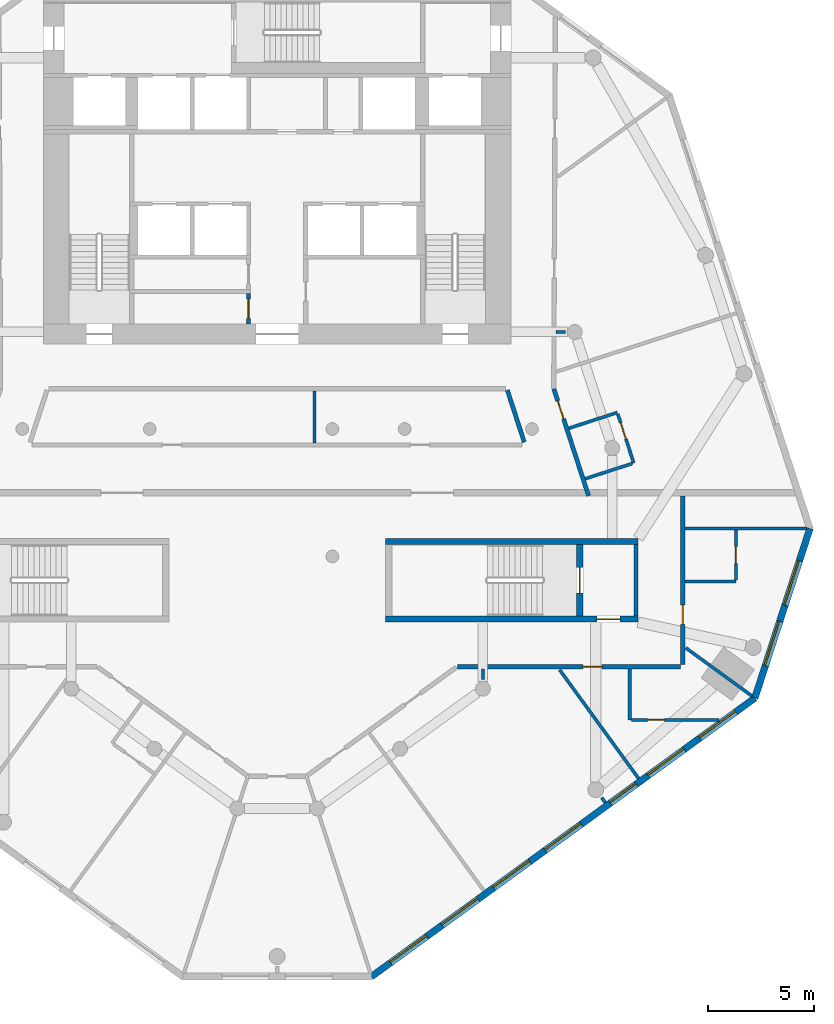
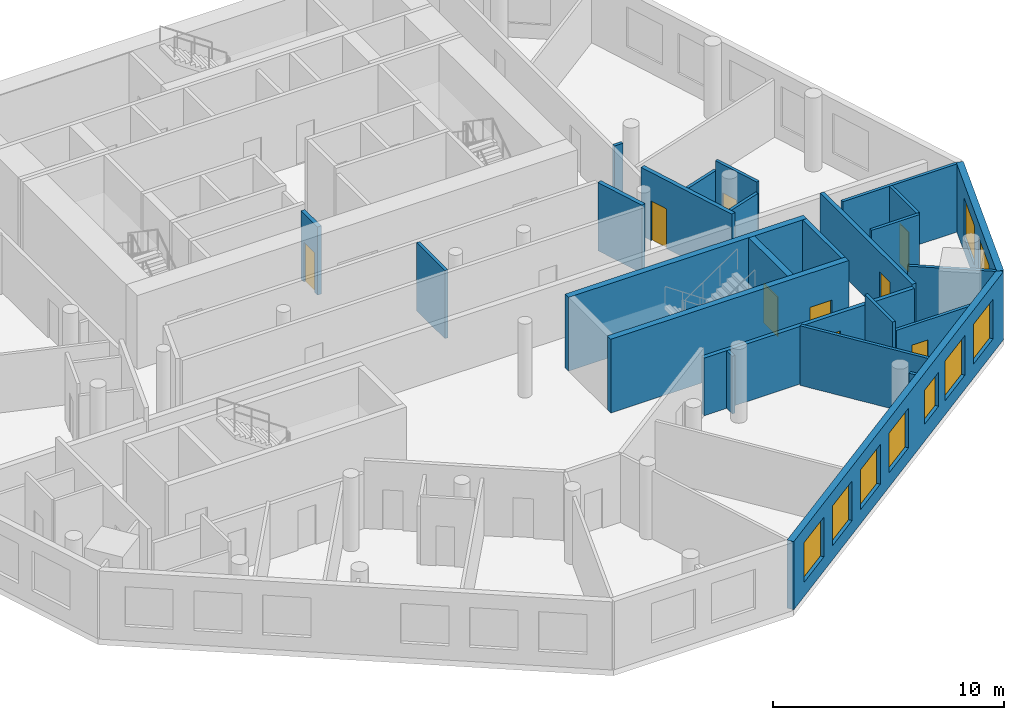
# One storey, part 4 of 9: 25 walls, 9 doors, 9 windows, 18 openings.
"""IFC4 building model written with IfcOpenShell, lengths in metres."""

from ifc_helpers import new_model, si_unit, direction, frame, frame_2d, origin, place, context, subcontext, project, spatial, rectangle, extrude, material, layer, layer_set, type_object, element, fill, save


model = new_model("IFC4")

# Units and contexts
model_context = context("Model", 3, precision=1e-05, world=origin(), true_north=direction((0.0, 1.0)))
body_context = subcontext(model_context, "Body", "Model", "MODEL_VIEW")
ifc_project = project(units=[si_unit("LENGTHUNIT", "METRE"), si_unit("AREAUNIT", "SQUARE_METRE"), si_unit("VOLUMEUNIT", "CUBIC_METRE"), si_unit("PLANEANGLEUNIT", "RADIAN"), si_unit("MASSUNIT", "GRAM", prefix="KILO")], contexts=[model_context])

# Site, building, storey
site_placement = place(None, origin())
site = spatial("IfcSite", under=ifc_project, at=site_placement, CompositionType="ELEMENT")
building_placement = place(site_placement, origin())
building = spatial("IfcBuilding", under=site, at=building_placement, Name="White Candle Pilgrim Tower", CompositionType="ELEMENT")
storey_placement = place(building_placement, frame((0.0, 0.0, 179.800048828125)))
storey = spatial("IfcBuildingStorey", under=building, at=storey_placement, Name="L41", CompositionType="ELEMENT", Elevation=179.800048828125)

# Wall
ifc_material_1 = material(Name="Concrete C60/75", Category="concrete")
ifc_layer_1 = layer(ifc_material_1, 0.199951171875)
ifc_layer_set_1 = layer_set([ifc_layer_1], Name="Core wall 200 mm Concrete C60/75")
wall_type_1 = type_object("IfcWallType", Name="Core wall 200 mm Concrete C60/75", PredefinedType="SHEAR", material=ifc_layer_set_1)
wall_1_placement = place(storey_placement, frame((86.89990234375, 58.199951171875, 0.0), z_axis=(0.0, 0.0, 1.0), x_axis=(0.0, 1.0, 0.0)))
element("IfcWall", 1, at=wall_1_placement, inside=storey, type_object=wall_type_1, Name="WL-L41-C08", PredefinedType="SHEAR", context=body_context, shape_type="SweptSolid", body=[
    extrude(rectangle(XDim=3.35009765625, YDim=0.199951171875, at=frame_2d((1.675048828125, 0.0))), origin(), (0.0, 0.0, 1.0), 3.89990234375),
])

# Wall, opening, door
ifc_material_2 = material(Name="Gypsum board on steel studs", Category="steel")
ifc_layer_2 = layer(ifc_material_2, 0.199951171875)
ifc_layer_set_2 = layer_set([ifc_layer_2], Name="Corridor wall 200 mm EI 45")
wall_type_2 = type_object("IfcWallType", Name="Corridor wall 200 mm EI 45", PredefinedType="PARTITIONING", material=ifc_layer_set_2)
wall_2_placement = place(storey_placement, frame((83.029541015625, 68.884765625, 0.0), z_axis=(0.0, 0.0, 1.0), x_axis=(0.308996388153, -0.951063211416, 0.0)))
wall_2 = element("IfcWall", 2, at=wall_2_placement, inside=storey, type_object=wall_type_2, Name="WL-L41-P005", PredefinedType="PARTITIONING", context=body_context, shape_type="SweptSolid", body=[
    extrude(rectangle(XDim=5.293701171875, YDim=0.199951171875, at=frame_2d((2.64697265625, 0.0))), origin(), (0.0, 0.0, 1.0), 3.599853515625),
])
opening_1_placement = place(wall_2_placement, frame((0.588134765625, 0.0, 0.0)))
opening_1 = element("IfcOpeningElement", 3, at=opening_1_placement, cuts=wall_2, Name="Opening T12-127", PredefinedType="OPENING", context=body_context, shape_type="SweptSolid", body=[
    extrude(rectangle(XDim=0.89990234375, YDim=2.10009765625, at=frame_2d((0.449951171875, 1.050048828125))), frame((0.0, 0.10986328125, 0.0), z_axis=(0.0, -1.0, 0.0), x_axis=(1.0, 0.0, 0.0)), (0.0, 0.0, 1.0), 0.219970703125),
])
ifc_material_3 = material(Name="Steel door leaf", Category="steel")
door_type_1 = type_object("IfcDoorType", Name="Fire door 900 x 2100 EI 30", OperationType="NOTDEFINED", PredefinedType="DOOR", material=ifc_material_3)
door_1_placement = place(opening_1_placement, origin())
door_1 = element("IfcDoor", 4, at=door_1_placement, inside=storey, type_object=door_type_1, Name="Door T12-127", OperationType="SINGLE_SWING_LEFT", OverallHeight=2.10009765625, OverallWidth=0.89990234375, PredefinedType="DOOR", context=body_context, shape_type="SweptSolid", body=[
    extrude(rectangle(XDim=0.89990234375, YDim=2.10009765625, at=frame_2d((0.449951171875, 1.050048828125))), frame((0.0, 0.02490234375, 0.0), z_axis=(0.0, -1.0, 0.0), x_axis=(1.0, 0.0, 0.0)), (0.0, 0.0, 1.0), 0.050048828125),
])
fill(opening_1, door_1)

wall_3_placement = place(storey_placement, frame((89.10009765625, 63.85009765625, 0.0), z_axis=(0.0, 0.0, 1.0), x_axis=(0.0, -1.0, 0.0)))
wall_3 = element("IfcWall", 5, at=wall_3_placement, inside=storey, type_object=wall_type_2, Name="WL-L41-P006", PredefinedType="PARTITIONING", context=body_context, shape_type="SweptSolid", body=[
    extrude(rectangle(XDim=7.9501953125, YDim=0.199951171875, at=frame_2d((3.97509765625, 0.0))), origin(), (0.0, 0.0, 1.0), 3.14990234375),
])
opening_2_placement = place(wall_3_placement, frame((5.145263671875, 0.0, 0.0)))
opening_2 = element("IfcOpeningElement", 6, at=opening_2_placement, cuts=wall_3, Name="Opening T12-116", PredefinedType="OPENING", context=body_context, shape_type="SweptSolid", body=[
    extrude(rectangle(XDim=0.89990234375, YDim=2.10009765625, at=frame_2d((0.449951171875, 1.050048828125))), frame((0.0, 0.10986328125, 0.0), z_axis=(0.0, -1.0, 0.0), x_axis=(1.0, 0.0, 0.0)), (0.0, 0.0, 1.0), 0.219970703125),
])
door_2_placement = place(opening_2_placement, origin())
door_2 = element("IfcDoor", 7, at=door_2_placement, inside=storey, type_object=door_type_1, Name="Door T12-116", OperationType="SINGLE_SWING_RIGHT", OverallHeight=2.10009765625, OverallWidth=0.89990234375, PredefinedType="DOOR", context=body_context, shape_type="SweptSolid", body=[
    extrude(rectangle(XDim=0.89990234375, YDim=2.10009765625, at=frame_2d((0.449951171875, 1.050048828125))), frame((0.0, 0.02490234375, 0.0), z_axis=(0.0, -1.0, 0.0), x_axis=(1.0, 0.0, 0.0)), (0.0, 0.0, 1.0), 0.050048828125),
])
fill(opening_2, door_2)

wall_4_placement = place(storey_placement, frame((89.0, 55.800048828125, 0.0), z_axis=(0.0, 0.0, 1.0), x_axis=(-1.0, 0.0, 0.0)))
wall_4 = element("IfcWall", 8, at=wall_4_placement, inside=storey, type_object=wall_type_2, Name="WL-L41-P007", PredefinedType="PARTITIONING", context=body_context, shape_type="SweptSolid", body=[
    extrude(rectangle(XDim=10.5068359375, YDim=0.199951171875, at=frame_2d((5.25341796875, 0.0))), origin(), (0.0, 0.0, 1.0), 3.050048828125),
])
opening_3_placement = place(wall_4_placement, frame((3.700927734375, 0.0, 0.0)))
opening_3 = element("IfcOpeningElement", 9, at=opening_3_placement, cuts=wall_4, Name="Opening T12-114", PredefinedType="OPENING", context=body_context, shape_type="SweptSolid", body=[
    extrude(rectangle(XDim=0.89990234375, YDim=2.10009765625, at=frame_2d((0.449951171875, 1.050048828125))), frame((0.0, 0.10986328125, 0.0), z_axis=(0.0, -1.0, 0.0), x_axis=(1.0, 0.0, 0.0)), (0.0, 0.0, 1.0), 0.219970703125),
])
door_3_placement = place(opening_3_placement, origin())
door_3 = element("IfcDoor", 10, at=door_3_placement, inside=storey, type_object=door_type_1, Name="Door T12-114", OperationType="SINGLE_SWING_RIGHT", OverallHeight=2.10009765625, OverallWidth=0.89990234375, PredefinedType="DOOR", context=body_context, shape_type="SweptSolid", body=[
    extrude(rectangle(XDim=0.89990234375, YDim=2.10009765625, at=frame_2d((0.449951171875, 1.050048828125))), frame((0.0, 0.02490234375, 0.0), z_axis=(0.0, -1.0, 0.0), x_axis=(1.0, 0.0, 0.0)), (0.0, 0.0, 1.0), 0.050048828125),
])
fill(opening_3, door_3)

# Wall
wall_5_placement = place(storey_placement, frame((81.635009765625, 66.380859375, 0.0), z_axis=(0.0, 0.0, 1.0), x_axis=(-0.309053927645, 0.951044515155, 0.0)))
element("IfcWall", 11, at=wall_5_placement, inside=storey, type_object=wall_type_2, Name="WL-L41-P015", PredefinedType="PARTITIONING", context=body_context, shape_type="SweptSolid", body=[
    extrude(rectangle(XDim=2.576171875, YDim=0.199951171875, at=frame_2d((1.2880859375, 0.0))), origin(), (0.0, 0.0, 1.0), 3.599853515625),
])

# Wall, openings, windows
ifc_material_4 = material(Name="Precast concrete C40/50", Category="concrete")
ifc_layer_3 = layer(ifc_material_4, 0.320068359375)
ifc_layer_set_3 = layer_set([ifc_layer_3], Name="Facade wall EW1 precast concrete C40/50 pier wall with timber-lined reveals")
wall_type_3 = type_object("IfcWallType", Name="Facade wall EW1 precast concrete C40/50 pier wall with timber-lined reveals", PredefinedType="SOLIDWALL", material=ifc_layer_set_3)
wall_6_placement = place(storey_placement, frame((74.44384765625, 41.213134765625, 0.0), z_axis=(0.0, 0.0, 1.0), x_axis=(0.80901752216, 0.587784525858, 0.0)))
wall_6 = element("IfcWall", 12, at=wall_6_placement, inside=storey, type_object=wall_type_3, Name="Facade wall L41 SE", PredefinedType="SOLIDWALL", context=body_context, shape_type="SweptSolid", body=[
    extrude(rectangle(XDim=22.3125, YDim=0.320068359375, at=frame_2d((11.15625, 0.0))), origin(), (0.0, 0.0, 1.0), 3.599853515625),
])
opening_4_placement = place(wall_6_placement, frame((1.1064453125, 0.0, 0.75)))
opening_4 = element("IfcOpeningElement", 13, at=opening_4_placement, cuts=wall_6, Name="Opening W3", PredefinedType="OPENING", context=body_context, shape_type="SweptSolid", body=[
    extrude(rectangle(XDim=2.10009765625, YDim=2.10009765625, at=frame_2d((1.050048828125, 1.050048828125))), frame((0.0, 0.169921875, 0.0), z_axis=(0.0, -1.0, 0.0), x_axis=(1.0, 0.0, 0.0)), (0.0, 0.0, 1.0), 0.340087890625),
])
opening_5_placement = place(wall_6_placement, frame((4.1064453125, 0.0, 0.75)))
opening_5 = element("IfcOpeningElement", 14, at=opening_5_placement, cuts=wall_6, Name="Opening W3", PredefinedType="OPENING", context=body_context, shape_type="SweptSolid", body=[
    extrude(rectangle(XDim=2.10009765625, YDim=2.10009765625, at=frame_2d((1.050048828125, 1.050048828125))), frame((0.0, 0.169921875, 0.0), z_axis=(0.0, -1.0, 0.0), x_axis=(1.0, 0.0, 0.0)), (0.0, 0.0, 1.0), 0.340087890625),
])
opening_6_placement = place(wall_6_placement, frame((7.1064453125, 0.0, 0.75)))
opening_6 = element("IfcOpeningElement", 15, at=opening_6_placement, cuts=wall_6, Name="Opening W3", PredefinedType="OPENING", context=body_context, shape_type="SweptSolid", body=[
    extrude(rectangle(XDim=2.10009765625, YDim=2.10009765625, at=frame_2d((1.050048828125, 1.050048828125))), frame((0.0, 0.169921875, 0.0), z_axis=(0.0, -1.0, 0.0), x_axis=(1.0, 0.0, 0.0)), (0.0, 0.0, 1.0), 0.340087890625),
])
opening_7_placement = place(wall_6_placement, frame((10.1064453125, 0.0, 0.75)))
opening_7 = element("IfcOpeningElement", 16, at=opening_7_placement, cuts=wall_6, Name="Opening W3", PredefinedType="OPENING", context=body_context, shape_type="SweptSolid", body=[
    extrude(rectangle(XDim=2.10009765625, YDim=2.10009765625, at=frame_2d((1.050048828125, 1.050048828125))), frame((0.0, 0.169921875, 0.0), z_axis=(0.0, -1.0, 0.0), x_axis=(1.0, 0.0, 0.0)), (0.0, 0.0, 1.0), 0.340087890625),
])
opening_8_placement = place(wall_6_placement, frame((13.906494140625, 0.0, 0.89990234375)))
opening_8 = element("IfcOpeningElement", 17, at=opening_8_placement, cuts=wall_6, Name="Opening W1", PredefinedType="OPENING", context=body_context, shape_type="SweptSolid", body=[
    extrude(rectangle(XDim=1.5, YDim=1.800048828125, at=frame_2d((0.75, 0.89990234375))), frame((0.0, 0.169921875, 0.0), z_axis=(0.0, -1.0, 0.0), x_axis=(1.0, 0.0, 0.0)), (0.0, 0.0, 1.0), 0.340087890625),
])
opening_9_placement = place(wall_6_placement, frame((16.1064453125, 0.0, 0.75)))
opening_9 = element("IfcOpeningElement", 18, at=opening_9_placement, cuts=wall_6, Name="Opening W3", PredefinedType="OPENING", context=body_context, shape_type="SweptSolid", body=[
    extrude(rectangle(XDim=2.10009765625, YDim=2.10009765625, at=frame_2d((1.050048828125, 1.050048828125))), frame((0.0, 0.169921875, 0.0), z_axis=(0.0, -1.0, 0.0), x_axis=(1.0, 0.0, 0.0)), (0.0, 0.0, 1.0), 0.340087890625),
])
opening_10_placement = place(wall_6_placement, frame((19.1064453125, 0.0, 0.75)))
opening_10 = element("IfcOpeningElement", 19, at=opening_10_placement, cuts=wall_6, Name="Opening W3", PredefinedType="OPENING", context=body_context, shape_type="SweptSolid", body=[
    extrude(rectangle(XDim=2.10009765625, YDim=2.10009765625, at=frame_2d((1.050048828125, 1.050048828125))), frame((0.0, 0.169921875, 0.0), z_axis=(0.0, -1.0, 0.0), x_axis=(1.0, 0.0, 0.0)), (0.0, 0.0, 1.0), 0.340087890625),
])
ifc_material_5 = material(Name="Timber frame with triple glazing", Category="wood")
window_type_1 = type_object("IfcWindowType", Name="Window W1 1500x1800 timber frame triple glazing", PartitioningType="SINGLE_PANEL", PredefinedType="WINDOW", material=ifc_material_5)
window_1_placement = place(opening_8_placement, origin())
window_1 = element("IfcWindow", 20, at=window_1_placement, inside=storey, type_object=window_type_1, Name="Window W1 L41 SE 5", OverallHeight=1.800048828125, OverallWidth=1.5, PartitioningType="SINGLE_PANEL", PredefinedType="WINDOW", context=body_context, shape_type="SweptSolid", body=[
    extrude(rectangle(XDim=1.5, YDim=1.800048828125, at=frame_2d((0.75, 0.89990234375))), frame((0.0, 0.070068359375, 0.0), z_axis=(0.0, -1.0, 0.0), x_axis=(1.0, 0.0, 0.0)), (0.0, 0.0, 1.0), 0.06005859375),
])
fill(opening_8, window_1)
window_type_2 = type_object("IfcWindowType", Name="Window W3 2100x2100 timber frame triple glazing", PartitioningType="SINGLE_PANEL", PredefinedType="WINDOW", material=ifc_material_5)
window_2_placement = place(opening_4_placement, origin())
window_2 = element("IfcWindow", 21, at=window_2_placement, inside=storey, type_object=window_type_2, Name="Window W3 L41 SE 1", OverallHeight=2.10009765625, OverallWidth=2.10009765625, PartitioningType="SINGLE_PANEL", PredefinedType="WINDOW", context=body_context, shape_type="SweptSolid", body=[
    extrude(rectangle(XDim=2.10009765625, YDim=2.10009765625, at=frame_2d((1.050048828125, 1.050048828125))), frame((0.0, 0.070068359375, 0.0), z_axis=(0.0, -1.0, 0.0), x_axis=(1.0, 0.0, 0.0)), (0.0, 0.0, 1.0), 0.06005859375),
])
fill(opening_4, window_2)
window_3_placement = place(opening_5_placement, origin())
window_3 = element("IfcWindow", 22, at=window_3_placement, inside=storey, type_object=window_type_2, Name="Window W3 L41 SE 2", OverallHeight=2.10009765625, OverallWidth=2.10009765625, PartitioningType="SINGLE_PANEL", PredefinedType="WINDOW", context=body_context, shape_type="SweptSolid", body=[
    extrude(rectangle(XDim=2.10009765625, YDim=2.10009765625, at=frame_2d((1.050048828125, 1.050048828125))), frame((0.0, 0.070068359375, 0.0), z_axis=(0.0, -1.0, 0.0), x_axis=(1.0, 0.0, 0.0)), (0.0, 0.0, 1.0), 0.06005859375),
])
fill(opening_5, window_3)
window_4_placement = place(opening_6_placement, origin())
window_4 = element("IfcWindow", 23, at=window_4_placement, inside=storey, type_object=window_type_2, Name="Window W3 L41 SE 3", OverallHeight=2.10009765625, OverallWidth=2.10009765625, PartitioningType="SINGLE_PANEL", PredefinedType="WINDOW", context=body_context, shape_type="SweptSolid", body=[
    extrude(rectangle(XDim=2.10009765625, YDim=2.10009765625, at=frame_2d((1.050048828125, 1.050048828125))), frame((0.0, 0.070068359375, 0.0), z_axis=(0.0, -1.0, 0.0), x_axis=(1.0, 0.0, 0.0)), (0.0, 0.0, 1.0), 0.06005859375),
])
fill(opening_6, window_4)
window_5_placement = place(opening_7_placement, origin())
window_5 = element("IfcWindow", 24, at=window_5_placement, inside=storey, type_object=window_type_2, Name="Window W3 L41 SE 4", OverallHeight=2.10009765625, OverallWidth=2.10009765625, PartitioningType="SINGLE_PANEL", PredefinedType="WINDOW", context=body_context, shape_type="SweptSolid", body=[
    extrude(rectangle(XDim=2.10009765625, YDim=2.10009765625, at=frame_2d((1.050048828125, 1.050048828125))), frame((0.0, 0.070068359375, 0.0), z_axis=(0.0, -1.0, 0.0), x_axis=(1.0, 0.0, 0.0)), (0.0, 0.0, 1.0), 0.06005859375),
])
fill(opening_7, window_5)
window_6_placement = place(opening_9_placement, origin())
window_6 = element("IfcWindow", 25, at=window_6_placement, inside=storey, type_object=window_type_2, Name="Window W3 L41 SE 6", OverallHeight=2.10009765625, OverallWidth=2.10009765625, PartitioningType="SINGLE_PANEL", PredefinedType="WINDOW", context=body_context, shape_type="SweptSolid", body=[
    extrude(rectangle(XDim=2.10009765625, YDim=2.10009765625, at=frame_2d((1.050048828125, 1.050048828125))), frame((0.0, 0.070068359375, 0.0), z_axis=(0.0, -1.0, 0.0), x_axis=(1.0, 0.0, 0.0)), (0.0, 0.0, 1.0), 0.06005859375),
])
fill(opening_9, window_6)
window_7_placement = place(opening_10_placement, origin())
window_7 = element("IfcWindow", 26, at=window_7_placement, inside=storey, type_object=window_type_2, Name="Window W3 L41 SE 7", OverallHeight=2.10009765625, OverallWidth=2.10009765625, PartitioningType="SINGLE_PANEL", PredefinedType="WINDOW", context=body_context, shape_type="SweptSolid", body=[
    extrude(rectangle(XDim=2.10009765625, YDim=2.10009765625, at=frame_2d((1.050048828125, 1.050048828125))), frame((0.0, 0.070068359375, 0.0), z_axis=(0.0, -1.0, 0.0), x_axis=(1.0, 0.0, 0.0)), (0.0, 0.0, 1.0), 0.06005859375),
])
fill(opening_10, window_7)

wall_7_placement = place(storey_placement, frame((92.4951171875, 54.328125, 0.0), z_axis=(0.0, 0.0, 1.0), x_axis=(0.309022961141, 0.951054577555, 0.0)))
wall_7 = element("IfcWall", 27, at=wall_7_placement, inside=storey, type_object=wall_type_3, Name="Facade wall L41 E chamfer", PredefinedType="SOLIDWALL", context=body_context, shape_type="SweptSolid", body=[
    extrude(rectangle(XDim=8.3974609375, YDim=0.320068359375, at=frame_2d((4.19873046875, 0.0))), origin(), (0.0, 0.0, 1.0), 3.599853515625),
])
opening_11_placement = place(wall_7_placement, frame((1.5986328125, 0.0, 0.75)))
opening_11 = element("IfcOpeningElement", 28, at=opening_11_placement, cuts=wall_7, Name="Opening W4", PredefinedType="OPENING", context=body_context, shape_type="SweptSolid", body=[
    extrude(rectangle(XDim=2.199951171875, YDim=2.10009765625, at=frame_2d((1.10009765625, 1.050048828125))), frame((0.0, 0.169921875, 0.0), z_axis=(0.0, -1.0, 0.0), x_axis=(1.0, 0.0, 0.0)), (0.0, 0.0, 1.0), 0.340087890625),
])
opening_12_placement = place(wall_7_placement, frame((4.5986328125, 0.0, 0.75)))
opening_12 = element("IfcOpeningElement", 29, at=opening_12_placement, cuts=wall_7, Name="Opening W4", PredefinedType="OPENING", context=body_context, shape_type="SweptSolid", body=[
    extrude(rectangle(XDim=2.199951171875, YDim=2.10009765625, at=frame_2d((1.10009765625, 1.050048828125))), frame((0.0, 0.169921875, 0.0), z_axis=(0.0, -1.0, 0.0), x_axis=(1.0, 0.0, 0.0)), (0.0, 0.0, 1.0), 0.340087890625),
])
window_type_3 = type_object("IfcWindowType", Name="Window W4 2200x2100 timber frame triple glazing", PartitioningType="SINGLE_PANEL", PredefinedType="WINDOW", material=ifc_material_5)
window_8_placement = place(opening_11_placement, origin())
window_8 = element("IfcWindow", 30, at=window_8_placement, inside=storey, type_object=window_type_3, Name="Window W4 L41 E chamfer 1", OverallHeight=2.10009765625, OverallWidth=2.199951171875, PartitioningType="SINGLE_PANEL", PredefinedType="WINDOW", context=body_context, shape_type="SweptSolid", body=[
    extrude(rectangle(XDim=2.199951171875, YDim=2.10009765625, at=frame_2d((1.10009765625, 1.050048828125))), frame((0.0, 0.070068359375, 0.0), z_axis=(0.0, -1.0, 0.0), x_axis=(1.0, 0.0, 0.0)), (0.0, 0.0, 1.0), 0.06005859375),
])
fill(opening_11, window_8)
window_9_placement = place(opening_12_placement, origin())
window_9 = element("IfcWindow", 31, at=window_9_placement, inside=storey, type_object=window_type_3, Name="Window W4 L41 E chamfer 2", OverallHeight=2.10009765625, OverallWidth=2.199951171875, PartitioningType="SINGLE_PANEL", PredefinedType="WINDOW", context=body_context, shape_type="SweptSolid", body=[
    extrude(rectangle(XDim=2.199951171875, YDim=2.10009765625, at=frame_2d((1.10009765625, 1.050048828125))), frame((0.0, 0.070068359375, 0.0), z_axis=(0.0, -1.0, 0.0), x_axis=(1.0, 0.0, 0.0)), (0.0, 0.0, 1.0), 0.06005859375),
])
fill(opening_12, window_9)

# Wall, opening, door
ifc_layer_4 = layer(ifc_material_2, 0.199951171875)
ifc_layer_set_4 = layer_set([ifc_layer_4], Name="Lobby wall 200 mm EI 60")
wall_type_4 = type_object("IfcWallType", Name="Lobby wall 200 mm EI 60", PredefinedType="PARTITIONING", material=ifc_layer_set_4)
wall_8_placement = place(storey_placement, frame((68.64990234375, 71.949951171875, 0.0), z_axis=(0.0, 0.0, 1.0), x_axis=(0.0, 1.0, 0.0)))
wall_8 = element("IfcWall", 32, at=wall_8_placement, inside=storey, type_object=wall_type_4, Name="WL-L41-C14", PredefinedType="PARTITIONING", context=body_context, shape_type="SweptSolid", body=[
    extrude(rectangle(XDim=1.425048828125, YDim=0.199951171875, at=frame_2d((0.71240234375, 0.0))), origin(), (0.0, 0.0, 1.0), 3.599853515625),
])
opening_13_placement = place(wall_8_placement, frame((0.262451171875, 0.0, 0.0)))
opening_13 = element("IfcOpeningElement", 33, at=opening_13_placement, cuts=wall_8, Name="Opening T12-005", PredefinedType="OPENING", context=body_context, shape_type="SweptSolid", body=[
    extrude(rectangle(XDim=0.89990234375, YDim=2.10009765625, at=frame_2d((0.449951171875, 1.050048828125))), frame((0.0, 0.10986328125, 0.0), z_axis=(0.0, -1.0, 0.0), x_axis=(1.0, 0.0, 0.0)), (0.0, 0.0, 1.0), 0.219970703125),
])
door_4_placement = place(opening_13_placement, origin())
door_4 = element("IfcDoor", 34, at=door_4_placement, inside=storey, type_object=door_type_1, Name="Door T12-005", OperationType="SINGLE_SWING_LEFT", OverallHeight=2.10009765625, OverallWidth=0.89990234375, PredefinedType="DOOR", context=body_context, shape_type="SweptSolid", body=[
    extrude(rectangle(XDim=0.89990234375, YDim=2.10009765625, at=frame_2d((0.449951171875, 1.050048828125))), frame((0.0, 0.02490234375, 0.0), z_axis=(0.0, -1.0, 0.0), x_axis=(1.0, 0.0, 0.0)), (0.0, 0.0, 1.0), 0.050048828125),
])
fill(opening_13, door_4)

# Walls
ifc_layer_5 = layer(ifc_material_2, 0.14990234375)
ifc_layer_set_5 = layer_set([ifc_layer_5], Name="Partition 150 mm EI 60")
wall_type_5 = type_object("IfcWallType", Name="Partition 150 mm EI 60", PredefinedType="PARTITIONING", material=ifc_layer_set_5)
wall_9_placement = place(storey_placement, frame((92.35888671875, 54.427001953125, 0.0), z_axis=(0.0, 0.0, 1.0), x_axis=(-0.808993762588, 0.587817226775, 0.0)))
element("IfcWall", 35, at=wall_9_placement, inside=storey, type_object=wall_type_5, Name="WL-L41-P022", PredefinedType="PARTITIONING", context=body_context, shape_type="SweptSolid", body=[
    extrude(rectangle(XDim=3.85009765625, YDim=0.14990234375, at=frame_2d((1.925048828125, 0.0))), origin(), (0.0, 0.0, 1.0), 3.599853515625),
])
wall_10_placement = place(storey_placement, frame((94.921875, 62.314453125, 0.0), z_axis=(0.0, 0.0, 1.0), x_axis=(-1.0, 0.0, 0.0)))
element("IfcWall", 36, at=wall_10_placement, inside=storey, type_object=wall_type_5, Name="WL-L41-P023", PredefinedType="PARTITIONING", context=body_context, shape_type="SweptSolid", body=[
    extrude(rectangle(XDim=5.721923828125, YDim=0.14990234375, at=frame_2d((2.86083984375, 0.0))), origin(), (0.0, 0.0, 1.0), 3.599853515625),
])
wall_11_placement = place(storey_placement, frame((87.01611328125, 50.545166015625, 0.0), z_axis=(0.0, 0.0, 1.0), x_axis=(-0.587799384359, 0.809006726639, 0.0)))
element("IfcWall", 37, at=wall_11_placement, inside=storey, type_object=wall_type_5, Name="WL-L41-P039", PredefinedType="PARTITIONING", context=body_context, shape_type="SweptSolid", body=[
    extrude(rectangle(XDim=6.3173828125, YDim=0.14990234375, at=frame_2d((3.15869140625, 0.0))), origin(), (0.0, 0.0, 1.0), 3.14990234375),
])
wall_12_placement = place(storey_placement, frame((86.60009765625, 55.699951171875, 0.0), z_axis=(0.0, 0.0, 1.0), x_axis=(0.0, -1.0, 0.0)))
element("IfcWall", 38, at=wall_12_placement, inside=storey, type_object=wall_type_5, Name="WL-L41-P040", PredefinedType="PARTITIONING", context=body_context, shape_type="SweptSolid", body=[
    extrude(rectangle(XDim=2.39990234375, YDim=0.14990234375, at=frame_2d((1.199951171875, 0.0))), origin(), (0.0, 0.0, 1.0), 3.599853515625),
])

# Wall, opening, door
wall_13_placement = place(storey_placement, frame((90.807861328125, 53.300048828125, 0.0), z_axis=(0.0, 0.0, 1.0), x_axis=(-1.0, 0.0, 0.0)))
wall_13 = element("IfcWall", 39, at=wall_13_placement, inside=storey, type_object=wall_type_5, Name="WL-L41-P041", PredefinedType="PARTITIONING", context=body_context, shape_type="SweptSolid", body=[
    extrude(rectangle(XDim=4.1328125, YDim=0.14990234375, at=frame_2d((2.06640625, 0.0))), origin(), (0.0, 0.0, 1.0), 3.14990234375),
])
opening_14_placement = place(wall_13_placement, frame((2.557861328125, 0.0, 0.0)))
opening_14 = element("IfcOpeningElement", 40, at=opening_14_placement, cuts=wall_13, Name="Opening T12-113", PredefinedType="OPENING", context=body_context, shape_type="SweptSolid", body=[
    extrude(rectangle(XDim=0.800048828125, YDim=2.10009765625, at=frame_2d((0.39990234375, 1.050048828125))), frame((0.0, 0.0849609375, 0.0), z_axis=(0.0, -1.0, 0.0), x_axis=(1.0, 0.0, 0.0)), (0.0, 0.0, 1.0), 0.169921875),
])
door_type_2 = type_object("IfcDoorType", Name="Fire door 800 x 2100 EI 30", OperationType="NOTDEFINED", PredefinedType="DOOR", material=ifc_material_3)
door_5_placement = place(opening_14_placement, origin())
door_5 = element("IfcDoor", 41, at=door_5_placement, inside=storey, type_object=door_type_2, Name="Door T12-113", OperationType="SINGLE_SWING_LEFT", OverallHeight=2.10009765625, OverallWidth=0.800048828125, PredefinedType="DOOR", context=body_context, shape_type="SweptSolid", body=[
    extrude(rectangle(XDim=0.800048828125, YDim=2.10009765625, at=frame_2d((0.39990234375, 1.050048828125))), frame((0.0, 0.02490234375, 0.0), z_axis=(0.0, -1.0, 0.0), x_axis=(1.0, 0.0, 0.0)), (0.0, 0.0, 1.0), 0.050048828125),
])
fill(opening_14, door_5)

# Wall
wall_14_placement = place(storey_placement, frame((89.199951171875, 59.814453125, 0.0), z_axis=(0.0, 0.0, 1.0), x_axis=(1.0, 0.0, 0.0)))
element("IfcWall", 42, at=wall_14_placement, inside=storey, type_object=wall_type_5, Name="WL-L41-P042", PredefinedType="PARTITIONING", context=body_context, shape_type="SweptSolid", body=[
    extrude(rectangle(XDim=2.400146484375, YDim=0.14990234375, at=frame_2d((1.2001953125, 0.0))), origin(), (0.0, 0.0, 1.0), 3.599853515625),
])

# Wall, opening, door
wall_15_placement = place(storey_placement, frame((91.60009765625, 62.239501953125, 0.0), z_axis=(0.0, 0.0, 1.0), x_axis=(0.0, -1.0, 0.0)))
wall_15 = element("IfcWall", 43, at=wall_15_placement, inside=storey, type_object=wall_type_5, Name="WL-L41-P043", PredefinedType="PARTITIONING", context=body_context, shape_type="SweptSolid", body=[
    extrude(rectangle(XDim=2.35009765625, YDim=0.14990234375, at=frame_2d((1.175048828125, 0.0))), origin(), (0.0, 0.0, 1.0), 3.599853515625),
])
opening_15_placement = place(wall_15_placement, frame((0.77490234375, 0.0, 0.0)))
opening_15 = element("IfcOpeningElement", 44, at=opening_15_placement, cuts=wall_15, Name="Opening T12-115", PredefinedType="OPENING", context=body_context, shape_type="SweptSolid", body=[
    extrude(rectangle(XDim=0.800048828125, YDim=2.10009765625, at=frame_2d((0.39990234375, 1.050048828125))), frame((0.0, 0.0849609375, 0.0), z_axis=(0.0, -1.0, 0.0), x_axis=(1.0, 0.0, 0.0)), (0.0, 0.0, 1.0), 0.169921875),
])
door_6_placement = place(opening_15_placement, origin())
door_6 = element("IfcDoor", 45, at=door_6_placement, inside=storey, type_object=door_type_2, Name="Door T12-115", OperationType="SINGLE_SWING_LEFT", OverallHeight=2.10009765625, OverallWidth=0.800048828125, PredefinedType="DOOR", context=body_context, shape_type="SweptSolid", body=[
    extrude(rectangle(XDim=0.800048828125, YDim=2.10009765625, at=frame_2d((0.39990234375, 1.050048828125))), frame((0.0, 0.02490234375, 0.0), z_axis=(0.0, -1.0, 0.0), x_axis=(1.0, 0.0, 0.0)), (0.0, 0.0, 1.0), 0.050048828125),
])
fill(opening_15, door_6)

# Wall
wall_16_placement = place(storey_placement, frame((83.736083984375, 67.0341796875, 0.0), z_axis=(0.0, 0.0, 1.0), x_axis=(0.951076672559, 0.308954952889, 0.0)))
element("IfcWall", 46, at=wall_16_placement, inside=storey, type_object=wall_type_5, Name="WL-L41-P045", PredefinedType="PARTITIONING", context=body_context, shape_type="SweptSolid", body=[
    extrude(rectangle(XDim=2.39990234375, YDim=0.14990234375, at=frame_2d((1.199951171875, 0.0))), origin(), (0.0, 0.0, 1.0), 3.050048828125),
])

# Wall, opening, door
wall_17_placement = place(storey_placement, frame((86.791015625, 65.398193359375, 0.0), z_axis=(0.0, 0.0, 1.0), x_axis=(-0.308999558984, 0.95106218122, 0.0)))
wall_17 = element("IfcWall", 47, at=wall_17_placement, inside=storey, type_object=wall_type_5, Name="WL-L41-P046", PredefinedType="PARTITIONING", context=body_context, shape_type="SweptSolid", body=[
    extrude(rectangle(XDim=2.4248046875, YDim=0.14990234375, at=frame_2d((1.21240234375, 0.0))), origin(), (0.0, 0.0, 1.0), 3.599853515625),
])
opening_16_placement = place(wall_17_placement, frame((1.199951171875, 0.0, 0.0)))
opening_16 = element("IfcOpeningElement", 48, at=opening_16_placement, cuts=wall_17, Name="Opening T12-117", PredefinedType="OPENING", context=body_context, shape_type="SweptSolid", body=[
    extrude(rectangle(XDim=0.800048828125, YDim=2.10009765625, at=frame_2d((0.39990234375, 1.050048828125))), frame((0.0, 0.0849609375, 0.0), z_axis=(0.0, -1.0, 0.0), x_axis=(1.0, 0.0, 0.0)), (0.0, 0.0, 1.0), 0.169921875),
])
door_7_placement = place(opening_16_placement, frame((0.800048828125, 0.0, 0.0), z_axis=(0.0, 0.0, 1.0), x_axis=(-1.0, 0.0, 0.0)))
door_7 = element("IfcDoor", 49, at=door_7_placement, inside=storey, type_object=door_type_2, Name="Door T12-117", OperationType="SINGLE_SWING_RIGHT", OverallHeight=2.10009765625, OverallWidth=0.800048828125, PredefinedType="DOOR", context=body_context, shape_type="SweptSolid", body=[
    extrude(rectangle(XDim=0.800048828125, YDim=2.10009765625, at=frame_2d((0.39990234375, 1.050048828125))), frame((0.0, 0.02490234375, 0.0), z_axis=(0.0, -1.0, 0.0), x_axis=(1.0, 0.0, 0.0)), (0.0, 0.0, 1.0), 0.050048828125),
])
fill(opening_16, door_7)

# Walls
wall_18_placement = place(storey_placement, frame((84.508544921875, 64.656494140625, 0.0), z_axis=(0.0, 0.0, 1.0), x_axis=(0.951050272606, 0.309036209813, 0.0)))
element("IfcWall", 50, at=wall_18_placement, inside=storey, type_object=wall_type_5, Name="WL-L41-P047", PredefinedType="PARTITIONING", context=body_context, shape_type="SweptSolid", body=[
    extrude(rectangle(XDim=2.324951171875, YDim=0.14990234375, at=frame_2d((1.16259765625, 0.0))), origin(), (0.0, 0.0, 1.0), 3.050048828125),
])
wall_19_placement = place(storey_placement, frame((71.7607421875, 66.35009765625, 0.0), z_axis=(0.0, 0.0, 1.0), x_axis=(0.0, 1.0, 0.0)))
element("IfcWall", 51, at=wall_19_placement, inside=storey, type_object=wall_type_5, Name="WL-L41-P048", PredefinedType="PARTITIONING", context=body_context, shape_type="SweptSolid", body=[
    extrude(rectangle(XDim=2.449951171875, YDim=0.14990234375, at=frame_2d((1.22509765625, 0.0))), origin(), (0.0, 0.0, 1.0), 3.599853515625),
])
wall_20_placement = place(storey_placement, frame((85.28076171875, 49.639404296875, 0.0), z_axis=(0.0, 0.0, 1.0), x_axis=(0.58796959634, -0.808883028491, 0.0)))
element("IfcWall", 52, at=wall_20_placement, inside=storey, type_object=wall_type_5, Name="WL-L41-P051", PredefinedType="PARTITIONING", context=body_context, shape_type="SweptSolid", body=[
    extrude(rectangle(XDim=0.287353515625, YDim=0.14990234375, at=frame_2d((0.1435546875, 0.0))), origin(), (0.0, 0.0, 1.0), 3.599853515625),
])
wall_21_placement = place(storey_placement, frame((79.687744140625, 55.2099609375, 0.0), z_axis=(0.0, 0.0, 1.0), x_axis=(0.0, 1.0, 0.0)))
element("IfcWall", 53, at=wall_21_placement, inside=storey, type_object=wall_type_5, Name="WL-L41-P052", PredefinedType="PARTITIONING", context=body_context, shape_type="SweptSolid", body=[
    extrude(rectangle(XDim=0.489990234375, YDim=0.14990234375, at=frame_2d((0.2451171875, 0.0))), origin(), (0.0, 0.0, 1.0), 3.050048828125),
])
wall_22_placement = place(storey_placement, frame((83.570068359375, 71.572509765625, 0.0), z_axis=(0.0, 0.0, 1.0), x_axis=(-0.999992250075, 0.003936977362, 0.0)))
element("IfcWall", 54, at=wall_22_placement, inside=storey, type_object=wall_type_5, Name="WL-L41-P053", PredefinedType="PARTITIONING", context=body_context, shape_type="SweptSolid", body=[
    extrude(rectangle(XDim=0.43408203125, YDim=0.14990234375, at=frame_2d((0.217041015625, 0.0))), origin(), (0.0, 0.0, 1.0), 3.050048828125),
])

# Wall, opening, door
ifc_layer_6 = layer(ifc_material_1, 0.300048828125)
ifc_layer_set_6 = layer_set([ifc_layer_6], Name="Stair shaft wall 300 mm Concrete C60/75")
wall_type_6 = type_object("IfcWallType", Name="Stair shaft wall 300 mm Concrete C60/75", PredefinedType="SHEAR", material=ifc_layer_set_6)
wall_23_placement = place(storey_placement, frame((75.10009765625, 58.050048828125, 0.0), z_axis=(0.0, 0.0, 1.0), x_axis=(1.0, 0.0, 0.0)))
wall_23 = element("IfcWall", 55, at=wall_23_placement, inside=storey, type_object=wall_type_6, Name="WL-L41-C02", PredefinedType="SHEAR", context=body_context, shape_type="SweptSolid", body=[
    extrude(rectangle(XDim=11.89990234375, YDim=0.300048828125, at=frame_2d((5.949951171875, 0.0))), origin(), (0.0, 0.0, 1.0), 3.89990234375),
])
opening_17_placement = place(wall_23_placement, frame((9.949951171875, 0.0, 0.0)))
opening_17 = element("IfcOpeningElement", 56, at=opening_17_placement, cuts=wall_23, Name="Opening T12-012", PredefinedType="OPENING", context=body_context, shape_type="SweptSolid", body=[
    extrude(rectangle(XDim=1.10009765625, YDim=2.10009765625, at=frame_2d((0.550048828125, 1.050048828125))), frame((0.0, 0.159912109375, 0.0), z_axis=(0.0, -1.0, 0.0), x_axis=(1.0, 0.0, 0.0)), (0.0, 0.0, 1.0), 0.320068359375),
])
door_type_3 = type_object("IfcDoorType", Name="Fire door 1100 x 2100 EI 60", OperationType="NOTDEFINED", PredefinedType="DOOR", material=ifc_material_3)
door_8_placement = place(opening_17_placement, origin())
door_8 = element("IfcDoor", 57, at=door_8_placement, inside=storey, type_object=door_type_3, Name="Door T12-012", OperationType="SINGLE_SWING_RIGHT", OverallHeight=2.10009765625, OverallWidth=1.10009765625, PredefinedType="DOOR", context=body_context, shape_type="SweptSolid", body=[
    extrude(rectangle(XDim=1.10009765625, YDim=2.10009765625, at=frame_2d((0.550048828125, 1.050048828125))), frame((0.0, 0.02490234375, 0.0), z_axis=(0.0, -1.0, 0.0), x_axis=(1.0, 0.0, 0.0)), (0.0, 0.0, 1.0), 0.050048828125),
])
fill(opening_17, door_8)

wall_24_placement = place(storey_placement, frame((84.25, 58.199951171875, 0.0), z_axis=(0.0, 0.0, 1.0), x_axis=(0.0, 1.0, 0.0)))
wall_24 = element("IfcWall", 58, at=wall_24_placement, inside=storey, type_object=wall_type_6, Name="WL-L41-C07", PredefinedType="SHEAR", context=body_context, shape_type="SweptSolid", body=[
    extrude(rectangle(XDim=3.35009765625, YDim=0.300048828125, at=frame_2d((1.675048828125, 0.0))), origin(), (0.0, 0.0, 1.0), 3.89990234375),
])
opening_18_placement = place(wall_24_placement, frame((1.074951171875, 0.0, 0.0)))
opening_18 = element("IfcOpeningElement", 59, at=opening_18_placement, cuts=wall_24, Name="Opening T12-013", PredefinedType="OPENING", context=body_context, shape_type="SweptSolid", body=[
    extrude(rectangle(XDim=1.199951171875, YDim=2.10009765625, at=frame_2d((0.60009765625, 1.050048828125))), frame((0.0, 0.159912109375, 0.0), z_axis=(0.0, -1.0, 0.0), x_axis=(1.0, 0.0, 0.0)), (0.0, 0.0, 1.0), 0.320068359375),
])
door_type_4 = type_object("IfcDoorType", Name="Fire door 1200 x 2100 EI 60", OperationType="NOTDEFINED", PredefinedType="DOOR", material=ifc_material_3)
door_9_placement = place(opening_18_placement, origin())
door_9 = element("IfcDoor", 60, at=door_9_placement, inside=storey, type_object=door_type_4, Name="Door T12-013", OperationType="SINGLE_SWING_LEFT", OverallHeight=2.10009765625, OverallWidth=1.199951171875, PredefinedType="DOOR", context=body_context, shape_type="SweptSolid", body=[
    extrude(rectangle(XDim=1.199951171875, YDim=2.10009765625, at=frame_2d((0.60009765625, 1.050048828125))), frame((0.0, 0.02490234375, 0.0), z_axis=(0.0, -1.0, 0.0), x_axis=(1.0, 0.0, 0.0)), (0.0, 0.0, 1.0), 0.050048828125),
])
fill(opening_18, door_9)

# Wall
wall_25_placement = place(storey_placement, frame((75.10009765625, 61.699951171875, 0.0), z_axis=(0.0, 0.0, 1.0), x_axis=(1.0, 0.0, 0.0)))
element("IfcWall", 61, at=wall_25_placement, inside=storey, type_object=wall_type_6, Name="WL-L41-C10", PredefinedType="SHEAR", context=body_context, shape_type="SweptSolid", body=[
    extrude(rectangle(XDim=11.89990234375, YDim=0.300048828125, at=frame_2d((5.949951171875, 0.0))), origin(), (0.0, 0.0, 1.0), 3.89990234375),
])

save(model, "model.ifc")
